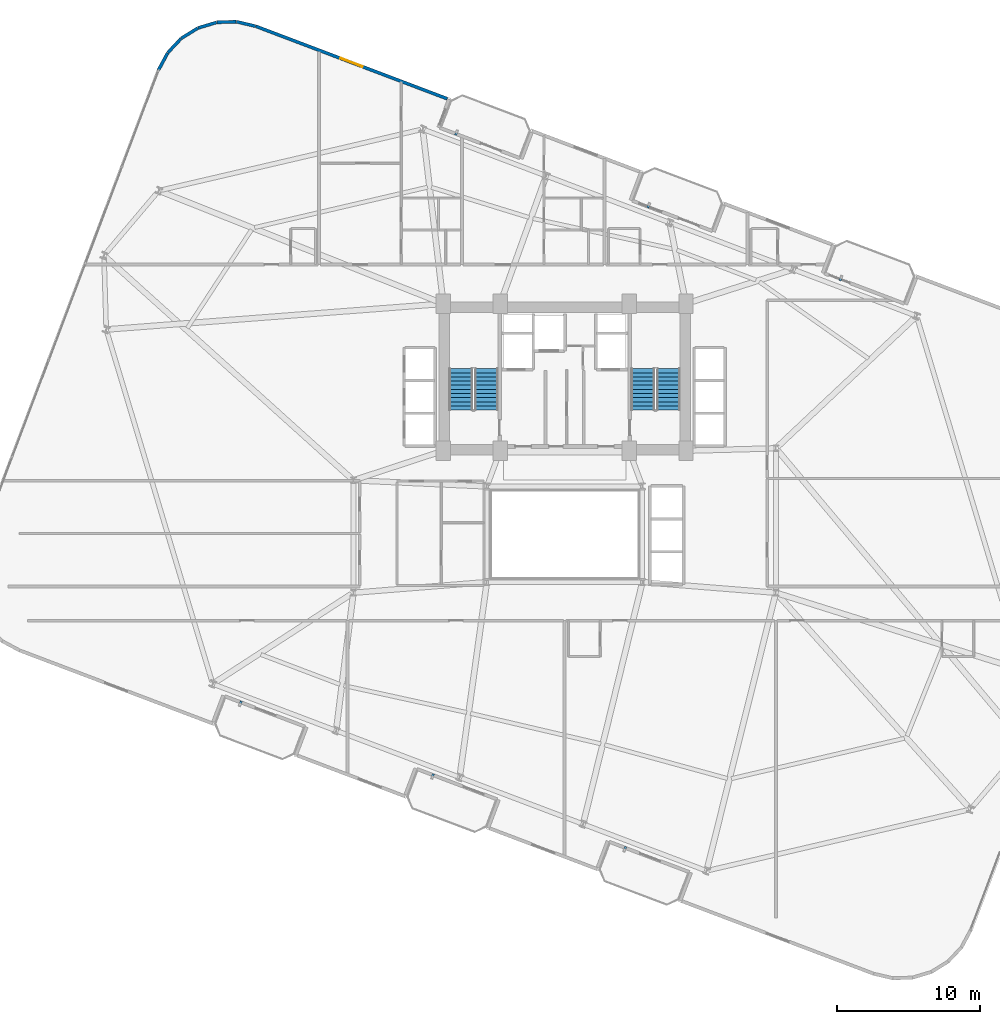
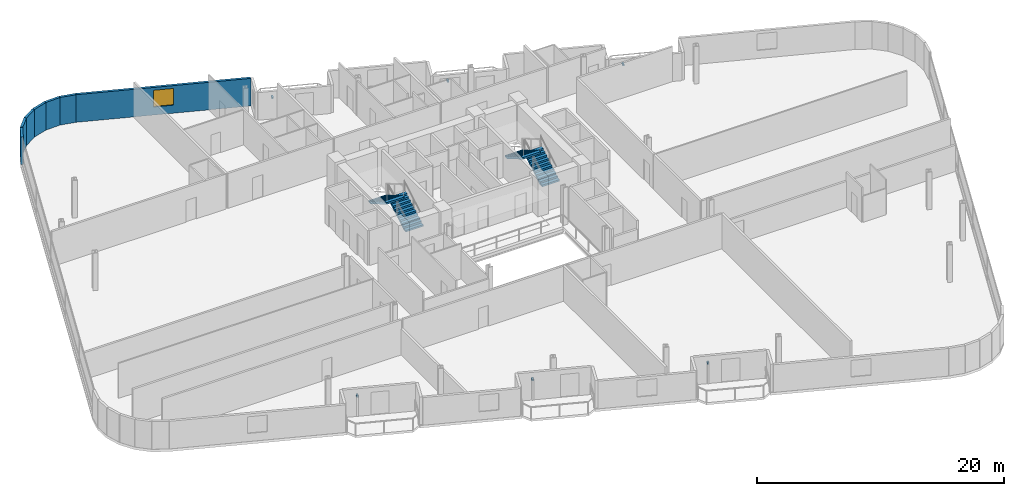
# One storey, part 21 of 24: 7 walls, 6 discrete accessories, 4 stair flights, 1 window, 1 opening, 2 elements without a shape of their own.
"""IFC4 building model written with IfcOpenShell, lengths in metres."""

from ifc_helpers import new_model, si_unit, direction, frame, frame_2d, origin, origin_2d, place, context, subcontext, project, spatial, polyline, rectangle, outline, extrude, source, transform, mapped, material, layer, layer_set, type_object, element, fill, aggregate, save


model = new_model("IFC4")

# Units and contexts
model_context = context("Model", 3, precision=1e-05, world=origin(), true_north=direction((0.0, 1.0)))
body_context = subcontext(model_context, "Body", "Model", "MODEL_VIEW")
ifc_project = project(units=[si_unit("LENGTHUNIT", "METRE"), si_unit("AREAUNIT", "SQUARE_METRE"), si_unit("VOLUMEUNIT", "CUBIC_METRE"), si_unit("PLANEANGLEUNIT", "RADIAN"), si_unit("MASSUNIT", "GRAM", prefix="KILO")], contexts=[model_context])

# Site, building, storey
site_placement = place(None, origin())
site = spatial("IfcSite", under=ifc_project, at=site_placement, CompositionType="ELEMENT")
building_placement = place(site_placement, origin())
building = spatial("IfcBuilding", under=site, at=building_placement, Name="Varnelok Gate Tower", CompositionType="ELEMENT")
storey_placement = place(building_placement, frame((0.0, 0.0, 102.10009765625)))
storey = spatial("IfcBuildingStorey", under=building, at=storey_placement, Name="L25", CompositionType="ELEMENT", Elevation=102.10009765625)

# Wall, opening, window
ifc_material_1 = material(Name="Concrete C45/55", Category="concrete")
ifc_layer = layer(ifc_material_1, 0.219970703125)
ifc_layer_set = layer_set([ifc_layer], Name="Concrete C45/55")
wall_type = type_object("IfcWallType", Name="EW-BALC-220", PredefinedType="SOLIDWALL", material=ifc_layer_set)
wall_1_placement = place(storey_placement, frame((30.97607421875, 53.412841796875, 0.0), z_axis=(0.0, 0.0, 1.0), x_axis=(-0.935220327379, 0.354066292178, 0.0)))
wall_1 = element("IfcWall", 1, at=wall_1_placement, inside=storey, type_object=wall_type, Name="L25 Perimeter Facade Closure Wall 38", PredefinedType="SOLIDWALL", context=body_context, shape_type="SweptSolid", body=[
    extrude(rectangle(XDim=14.34716796875, YDim=0.219970703125, at=frame_2d((7.173583984375, 0.0))), origin(), (0.0, 0.0, 1.0), 2.72998046875),
])
opening_placement = place(wall_1_placement, frame((6.348388671875, 0.0, 0.800048828125)))
opening = element("IfcOpeningElement", 2, at=opening_placement, cuts=wall_1, Name="Opening WN3", PredefinedType="OPENING", context=body_context, shape_type="SweptSolid", body=[
    extrude(rectangle(XDim=1.64990234375, YDim=1.64990234375, at=frame_2d((0.824951171875, 0.824951171875))), frame((0.0, 0.119873046875, 0.0), z_axis=(0.0, -1.0, 0.0), x_axis=(1.0, 0.0, 0.0)), (0.0, 0.0, 1.0), 0.239990234375),
])
ifc_material_2 = material(Name="Low-E Laminated Double Glazing IGU", Category="glass")
window_type = type_object("IfcWindowType", Name="WN-HTL-1650", PartitioningType="SINGLE_PANEL", PredefinedType="WINDOW", material=ifc_material_2)
window_placement = place(opening_placement, origin())
window = element("IfcWindow", 3, at=window_placement, inside=storey, type_object=window_type, Name="L25 Perimeter Vision Window 38", OverallHeight=1.64990234375, OverallWidth=1.64990234375, PartitioningType="SINGLE_PANEL", PredefinedType="WINDOW", context=body_context, shape_type="SweptSolid", body=[
    extrude(rectangle(XDim=1.64990234375, YDim=1.64990234375, at=frame_2d((0.824951171875, 0.824951171875))), frame((0.0, 0.030029296875, 0.0), z_axis=(0.0, -1.0, 0.0), x_axis=(1.0, 0.0, 0.0)), (0.0, 0.0, 1.0), 0.06005859375),
])
fill(opening, window)

# Walls
wall_2_placement = place(storey_placement, frame((17.533935546875, 58.498291015625, 0.0), z_axis=(0.0, 0.0, 1.0), x_axis=(-0.973414815952, 0.229049331117, 0.0)))
element("IfcWall", 4, at=wall_2_placement, inside=storey, type_object=wall_type, Name="L25 Perimeter Facade Closure Wall 39", PredefinedType="SOLIDWALL", context=body_context, shape_type="SweptSolid", body=[
    extrude(rectangle(XDim=1.361083984375, YDim=0.219970703125, at=frame_2d((0.6806640625, 0.0))), origin(), (0.0, 0.0, 1.0), 2.72998046875),
])
wall_3_placement = place(storey_placement, frame((16.18408203125, 58.809326171875, 0.0), z_axis=(0.0, 0.0, 1.0), x_axis=(-0.999523971993, -0.03085173271, 0.0)))
element("IfcWall", 5, at=wall_3_placement, inside=storey, type_object=wall_type, Name="L25 Perimeter Facade Closure Wall 40", PredefinedType="SOLIDWALL", context=body_context, shape_type="SweptSolid", body=[
    extrude(rectangle(XDim=1.353271484375, YDim=0.219970703125, at=frame_2d((0.6767578125, 0.0))), origin(), (0.0, 0.0, 1.0), 2.72998046875),
])
for number, where, z_axis, x_axis, name in (
    (6, (14.8076171875, 58.76025390625, 0.0), (0.0, 0.0, 1.0), (-0.957532798303, -0.28832436625, 0.0), "L25 Perimeter Facade Closure Wall 41"),
    (7, (13.49072265625, 58.35693359375, 0.0), (0.0, 0.0, 1.0), (-0.850261301096, -0.526360826676, 0.0), "L25 Perimeter Facade Closure Wall 42"),
    (8, (12.3232421875, 57.62646484375, 0.0), (0.0, 0.0, 1.0), (-0.684936830459, -0.728602455583, 0.0), "L25 Perimeter Facade Closure Wall 43"),
    (9, (11.384521484375, 56.61865234375, 0.0), (0.0, 0.0, 1.0), (-0.473077364598, -0.881020889142, 0.0), "L25 Perimeter Facade Closure Wall 44"),
):
    element("IfcWall", number, at=place(storey_placement, frame(where, z_axis=z_axis, x_axis=x_axis)), inside=storey, type_object=wall_type, Name=name, PredefinedType="SOLIDWALL", context=body_context, shape_type="SweptSolid", body=[
        extrude(rectangle(XDim=1.35302734375, YDim=0.219970703125, at=frame_2d((0.676513671875, 0.0))), origin(), (0.0, 0.0, 1.0), 2.72998046875),
    ])

# Stair, stair flights
ifc_material_3 = material(Name="Concrete C50/60", Category="concrete")
stair_type = type_object("IfcStairType", Name="STR-CORE-1650", PredefinedType="HALF_TURN_STAIR", material=ifc_material_3)
stair_1_placement = place(storey_placement, origin())
stair_1 = element("IfcStair", 10, at=stair_1_placement, inside=storey, type_object=stair_type, Name="L25 Exit Stair ST-1", PredefinedType="HALF_TURN_STAIR")
stair_flight_type = type_object("IfcStairFlightType", Name="SFL-CORE-1650", PredefinedType="STRAIGHT", material=ifc_material_3)
stair_flight_1_placement = place(storey_placement, frame((33.72509765625, 31.60009765625, 0.0), z_axis=(0.0, 0.0, 1.0), x_axis=(0.0, 1.0, 0.0)))
stair_flight_1 = element("IfcStairFlight", 11, at=stair_flight_1_placement, type_object=stair_flight_type, Name="ST-1 flight 1", NumberOfRisers=11, NumberOfTreads=10, PredefinedType="STRAIGHT", RiserHeight=0.168181818, TreadLength=0.29, context=body_context, shape_type="SweptSolid", body=[
    extrude(outline(polyline([(0.0, 0.0), (0.0, 0.168212890625), (0.2900390625, 0.168212890625), (0.2900390625, 0.33642578125), (0.580078125, 0.33642578125), (0.580078125, 0.504638671875), (0.8701171875, 0.504638671875), (0.8701171875, 0.672607421875), (1.159912109375, 0.672607421875), (1.159912109375, 0.8408203125), (1.449951171875, 0.8408203125), (1.449951171875, 1.009033203125), (1.739990234375, 1.009033203125), (1.739990234375, 1.17724609375), (2.030029296875, 1.17724609375), (2.030029296875, 1.345458984375), (2.320068359375, 1.345458984375), (2.320068359375, 1.513671875), (2.610107421875, 1.513671875), (2.610107421875, 1.681884765625), (2.89990234375, 1.681884765625), (2.89990234375, 1.85009765625), (2.89990234375, 1.508544921875), (0.298828125, 0.0), (0.0, 0.0)])), frame((0.0, 0.824951171875, 0.0), z_axis=(0.0, -1.0, 0.0), x_axis=(1.0, 0.0, 0.0)), (0.0, 0.0, 1.0), 1.64990234375),
])
stair_flight_2_placement = place(storey_placement, frame((31.925048828125, 34.5, 1.849853515625), z_axis=(0.0, 0.0, 1.0), x_axis=(0.0, -1.0, 0.0)))
stair_flight_2 = element("IfcStairFlight", 12, at=stair_flight_2_placement, type_object=stair_flight_type, Name="ST-1 flight 2", NumberOfRisers=11, NumberOfTreads=10, PredefinedType="STRAIGHT", RiserHeight=0.168181818, TreadLength=0.29, context=body_context, shape_type="SweptSolid", body=[
    extrude(outline(polyline([(0.0, 0.0), (0.0, 0.168212890625), (0.2900390625, 0.168212890625), (0.2900390625, 0.33642578125), (0.580078125, 0.33642578125), (0.580078125, 0.504638671875), (0.8701171875, 0.504638671875), (0.8701171875, 0.672607421875), (1.159912109375, 0.672607421875), (1.159912109375, 0.8408203125), (1.449951171875, 0.8408203125), (1.449951171875, 1.009033203125), (1.739990234375, 1.009033203125), (1.739990234375, 1.17724609375), (2.030029296875, 1.17724609375), (2.030029296875, 1.345458984375), (2.320068359375, 1.345458984375), (2.320068359375, 1.513671875), (2.610107421875, 1.513671875), (2.610107421875, 1.681884765625), (2.89990234375, 1.681884765625), (2.89990234375, 1.85009765625), (2.89990234375, 1.508544921875), (0.298828125, 0.0), (0.0, 0.0)])), frame((0.0, 0.824951171875, 0.0), z_axis=(0.0, -1.0, 0.0), x_axis=(1.0, 0.0, 0.0)), (0.0, 0.0, 1.0), 1.64990234375),
])
aggregate(stair_1, [stair_flight_1, stair_flight_2])

stair_2_placement = place(storey_placement, origin())
stair_2 = element("IfcStair", 13, at=stair_2_placement, inside=storey, type_object=stair_type, Name="L25 Exit Stair ST-2", PredefinedType="HALF_TURN_STAIR")
stair_flight_3_placement = place(storey_placement, frame((46.47509765625, 31.60009765625, 0.0), z_axis=(0.0, 0.0, 1.0), x_axis=(0.0, 1.0, 0.0)))
stair_flight_3 = element("IfcStairFlight", 14, at=stair_flight_3_placement, type_object=stair_flight_type, Name="ST-2 flight 1", NumberOfRisers=11, NumberOfTreads=10, PredefinedType="STRAIGHT", RiserHeight=0.168181818, TreadLength=0.29, context=body_context, shape_type="SweptSolid", body=[
    extrude(outline(polyline([(0.0, 0.0), (0.0, 0.168212890625), (0.2900390625, 0.168212890625), (0.2900390625, 0.33642578125), (0.580078125, 0.33642578125), (0.580078125, 0.504638671875), (0.8701171875, 0.504638671875), (0.8701171875, 0.672607421875), (1.159912109375, 0.672607421875), (1.159912109375, 0.8408203125), (1.449951171875, 0.8408203125), (1.449951171875, 1.009033203125), (1.739990234375, 1.009033203125), (1.739990234375, 1.17724609375), (2.030029296875, 1.17724609375), (2.030029296875, 1.345458984375), (2.320068359375, 1.345458984375), (2.320068359375, 1.513671875), (2.610107421875, 1.513671875), (2.610107421875, 1.681884765625), (2.89990234375, 1.681884765625), (2.89990234375, 1.85009765625), (2.89990234375, 1.508544921875), (0.298828125, 0.0), (0.0, 0.0)])), frame((0.0, 0.824951171875, 0.0), z_axis=(0.0, -1.0, 0.0), x_axis=(1.0, 0.0, 0.0)), (0.0, 0.0, 1.0), 1.64990234375),
])
stair_flight_4_placement = place(storey_placement, frame((44.675048828125, 34.5, 1.849853515625), z_axis=(0.0, 0.0, 1.0), x_axis=(0.0, -1.0, 0.0)))
stair_flight_4 = element("IfcStairFlight", 15, at=stair_flight_4_placement, type_object=stair_flight_type, Name="ST-2 flight 2", NumberOfRisers=11, NumberOfTreads=10, PredefinedType="STRAIGHT", RiserHeight=0.168181818, TreadLength=0.29, context=body_context, shape_type="SweptSolid", body=[
    extrude(outline(polyline([(0.0, 0.0), (0.0, 0.168212890625), (0.2900390625, 0.168212890625), (0.2900390625, 0.33642578125), (0.580078125, 0.33642578125), (0.580078125, 0.504638671875), (0.8701171875, 0.504638671875), (0.8701171875, 0.672607421875), (1.159912109375, 0.672607421875), (1.159912109375, 0.8408203125), (1.449951171875, 0.8408203125), (1.449951171875, 1.009033203125), (1.739990234375, 1.009033203125), (1.739990234375, 1.17724609375), (2.030029296875, 1.17724609375), (2.030029296875, 1.345458984375), (2.320068359375, 1.345458984375), (2.320068359375, 1.513671875), (2.610107421875, 1.513671875), (2.610107421875, 1.681884765625), (2.89990234375, 1.681884765625), (2.89990234375, 1.85009765625), (2.89990234375, 1.508544921875), (0.298828125, 0.0), (0.0, 0.0)])), frame((0.0, 0.824951171875, 0.0), z_axis=(0.0, -1.0, 0.0), x_axis=(1.0, 0.0, 0.0)), (0.0, 0.0, 1.0), 1.64990234375),
])
aggregate(stair_2, [stair_flight_3, stair_flight_4])

# Discrete accessories
ifc_material_4 = material(Name="Structural Steel ASTM A500 Grade C", Category="steel")
discrete_accessory_type = type_object("IfcDiscreteAccessoryType", Name="ACC-BAGUETTE-BRK", PredefinedType="BRACKET", material=ifc_material_4)
shared_shape = source(origin(), body_context, "Body", "SweptSolid", [
    extrude(rectangle(XDim=0.159912109375, YDim=0.340087890625, at=origin_2d()), origin(), (0.0, 0.0, 1.0), 0.139892578125),
])
for number, where, z_axis, x_axis, name in (
    (16, (16.483154296875, 11.050048828125, 1.97998046875), (0.0, 0.0, 1.0), (0.935221751401, -0.354062530786, 0.0), "L25 Terracotta Baguette Bracket 1.1"),
    (17, (29.9501953125, 5.95166015625, 1.97998046875), (0.0, 0.0, 1.0), (0.935221751401, -0.354062530786, 0.0), "L25 Terracotta Baguette Bracket 2.1"),
    (18, (43.41748046875, 0.85302734375, 1.97998046875), (0.0, 0.0, 1.0), (0.935221751401, -0.354062530786, 0.0), "L25 Terracotta Baguette Bracket 3.1"),
    (19, (31.61572265625, 51.021484375, 1.97998046875), (0.0, 0.0, 1.0), (0.935221751401, -0.354062530786, 0.0), "L25 Terracotta Baguette Bracket 4.1"),
    (20, (45.0830078125, 45.923095703125, 1.97998046875), (0.0, 0.0, 1.0), (0.935221751401, -0.354062530786, 0.0), "L25 Terracotta Baguette Bracket 5.1"),
    (21, (58.550048828125, 40.824462890625, 1.97998046875), (0.0, 0.0, 1.0), (0.935221751401, -0.354062530786, 0.0), "L25 Terracotta Baguette Bracket 6.1"),
):
    element("IfcDiscreteAccessory", number, at=place(storey_placement, frame(where, z_axis=z_axis, x_axis=x_axis)), inside=storey, type_object=discrete_accessory_type, Name=name, PredefinedType="BRACKET", context=body_context, shape_type="MappedRepresentation", body=[
        mapped(shared_shape, transform((0.0, 0.0, 0.0), scale=1.0)),
    ])

save(model, "model.ifc")
